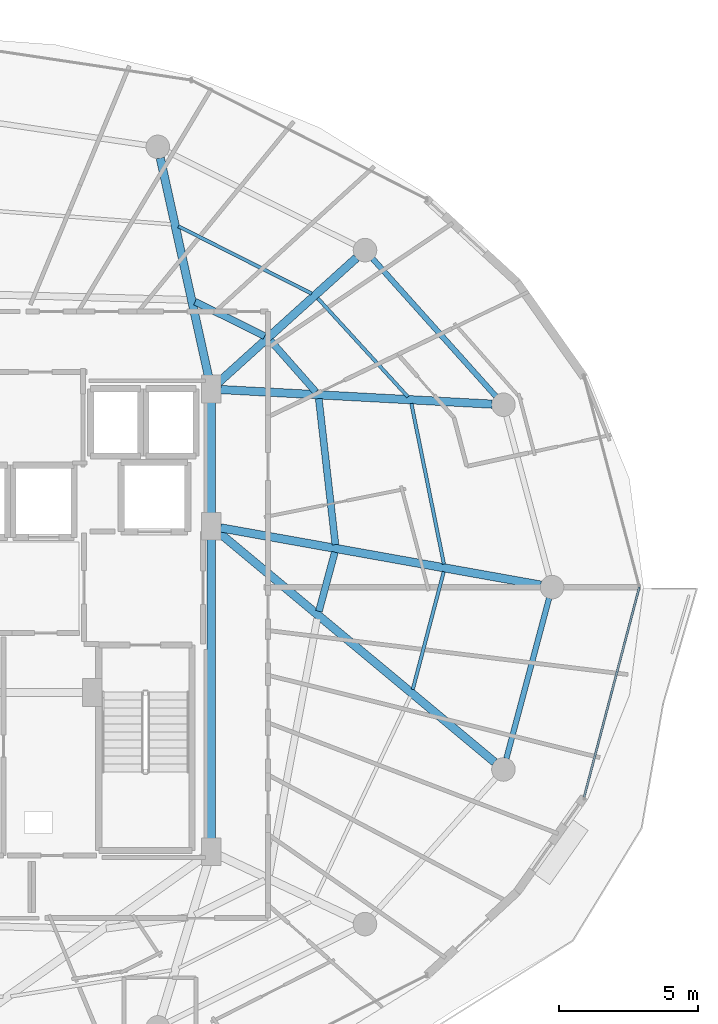
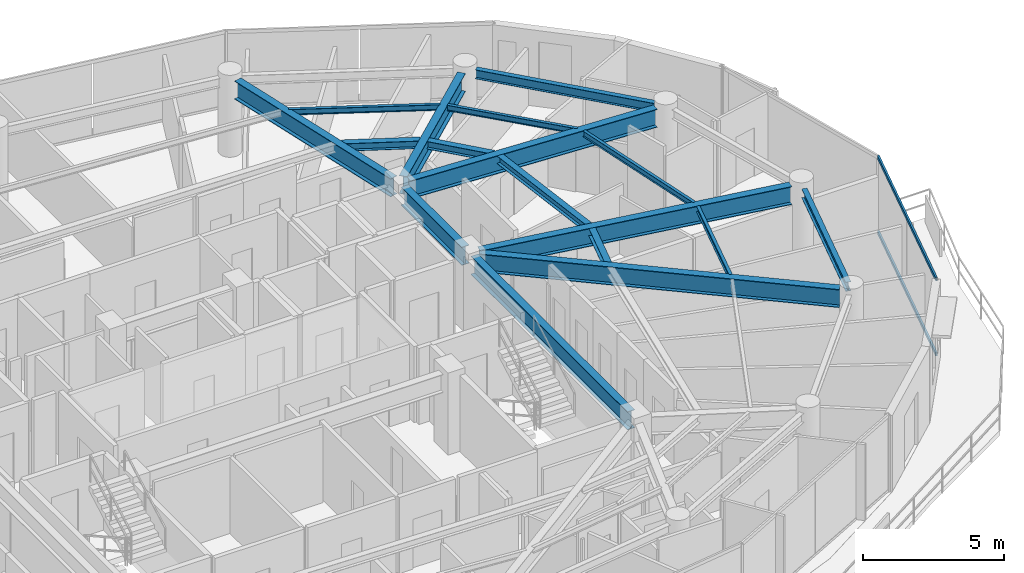
# One storey, part 13 of 29: 17 beams, 2 members, 1 element without a shape of its own.
"""IFC4 building model written with IfcOpenShell, lengths in metres."""

from ifc_helpers import new_model, si_unit, direction, frame, origin, origin_2d, place, context, subcontext, project, spatial, hollow_rectangle, i_section, extrude, material, material_profile, profile_set, type_object, element, aggregate, save


model = new_model("IFC4")

# Units and contexts
model_context = context("Model", 3, precision=1e-05, world=origin(), true_north=direction((0.0, 1.0)))
body_context = subcontext(model_context, "Body", "Model", "MODEL_VIEW")
ifc_project = project(units=[si_unit("LENGTHUNIT", "METRE"), si_unit("AREAUNIT", "SQUARE_METRE"), si_unit("VOLUMEUNIT", "CUBIC_METRE"), si_unit("PLANEANGLEUNIT", "RADIAN"), si_unit("MASSUNIT", "GRAM", prefix="KILO")], contexts=[model_context])

# Site, building, storey
site_placement = place(None, origin())
site = spatial("IfcSite", under=ifc_project, at=site_placement, CompositionType="ELEMENT")
building_placement = place(site_placement, origin())
building = spatial("IfcBuilding", under=site, at=building_placement, Name="Vorneva Point Tower", CompositionType="ELEMENT")
storey_placement = place(building_placement, frame((0.0, 0.0, 259.10009765625)))
storey = spatial("IfcBuildingStorey", under=building, at=storey_placement, Name="L70", CompositionType="ELEMENT", Elevation=259.10009765625)

# Beams
ifc_material_1 = material(Name="Steel S355", Category="steel")
ifc_material_profile_1 = material_profile(ifc_material_1, i_section(OverallWidth=0.300048828125, OverallDepth=0.7880859375, WebThickness=0.014404296875, FlangeThickness=0.02197265625, at=origin_2d()), Name="80Sh1")
ifc_profile_set_1 = profile_set([ifc_material_profile_1], Name="Steel S355")
beam_type_1 = type_object("IfcBeamType", Name="BM-GRD-80Sh1", PredefinedType="USERDEFINED", material=ifc_profile_set_1)
beam_1_placement = place(storey_placement, frame((60.6435546875, 26.07275390625, 2.89599609375), z_axis=(-0.9843788355, 0.17606336422, 0.0), x_axis=(-0.17606336422, -0.9843788355, 0.0)))
element("IfcBeam", 1, at=beam_1_placement, inside=storey, type_object=beam_type_1, Name="L70 Radial Primary Girder 01", ObjectType="GIRDER", PredefinedType="USERDEFINED", context=body_context, shape_type="SweptSolid", body=[
    extrude(i_section(OverallWidth=0.300048828125, OverallDepth=0.7880859375, WebThickness=0.014404296875, FlangeThickness=0.02197265625, at=origin_2d()), origin(), (0.0, 0.0, 1.0), 11.7421875),
])
beam_2_placement = place(storey_placement, frame((58.883056640625, 32.6044921875, 2.89599609375), z_axis=(-0.998554756376, 0.05374382308, 0.0), x_axis=(-0.05374382308, -0.998554756376, 0.0)))
element("IfcBeam", 2, at=beam_2_placement, inside=storey, type_object=beam_type_1, Name="L70 Radial Primary Girder 02", ObjectType="GIRDER", PredefinedType="USERDEFINED", context=body_context, shape_type="SweptSolid", body=[
    extrude(i_section(OverallWidth=0.300048828125, OverallDepth=0.7880859375, WebThickness=0.014404296875, FlangeThickness=0.02197265625, at=origin_2d()), origin(), (0.0, 0.0, 1.0), 9.8076171875),
])
beam_3_placement = place(storey_placement, frame((53.9921875, 37.885498046875, 2.89599609375), z_axis=(-0.7420671051, -0.670325601128, 0.0), x_axis=(0.670325601128, -0.7420671051, 0.0)))
element("IfcBeam", 3, at=beam_3_placement, inside=storey, type_object=beam_type_1, Name="L70 Radial Primary Girder 03", ObjectType="GIRDER", PredefinedType="USERDEFINED", context=body_context, shape_type="SweptSolid", body=[
    extrude(i_section(OverallWidth=0.300048828125, OverallDepth=0.7880859375, WebThickness=0.014404296875, FlangeThickness=0.02197265625, at=origin_2d()), origin(), (0.0, 0.0, 1.0), 6.724365234375),
])
beam_4_placement = place(storey_placement, frame((46.909912109375, 41.4873046875, 2.89599609375), z_axis=(0.215520742957, -0.976499262342, 0.0), x_axis=(0.976499262342, 0.215520742957, 0.0)))
element("IfcBeam", 4, at=beam_4_placement, inside=storey, type_object=beam_type_1, Name="L70 Radial Primary Girder 04", ObjectType="GIRDER", PredefinedType="USERDEFINED", context=body_context, shape_type="SweptSolid", body=[
    extrude(i_section(OverallWidth=0.300048828125, OverallDepth=0.7880859375, WebThickness=0.014404296875, FlangeThickness=0.02197265625, at=origin_2d()), origin(), (0.0, 0.0, 1.0), 8.197998046875),
])
beam_5_placement = place(storey_placement, frame((58.97802734375, 19.68212890625, 2.89599609375), z_axis=(-0.768424898021, 0.639939978515, 0.0), x_axis=(-0.639939978515, -0.768424898021, 0.0)))
element("IfcBeam", 5, at=beam_5_placement, inside=storey, type_object=beam_type_1, Name="L70 Radial Primary Girder 16", ObjectType="GIRDER", PredefinedType="USERDEFINED", context=body_context, shape_type="SweptSolid", body=[
    extrude(i_section(OverallWidth=0.300048828125, OverallDepth=0.7880859375, WebThickness=0.014404296875, FlangeThickness=0.02197265625, at=origin_2d()), origin(), (0.0, 0.0, 1.0), 12.970458984375),
])
beam_6_placement = place(storey_placement, frame((48.75, 16.77001953125, 2.89599609375), z_axis=(0.0, 1.0, 0.0), x_axis=(-1.0, 0.0, 0.0)))
element("IfcBeam", 6, at=beam_6_placement, inside=storey, type_object=beam_type_1, Name="L70 Core Tie Girder CT3", ObjectType="GIRDER", PredefinedType="USERDEFINED", context=body_context, shape_type="SweptSolid", body=[
    extrude(i_section(OverallWidth=0.300048828125, OverallDepth=0.7880859375, WebThickness=0.014404296875, FlangeThickness=0.02197265625, at=origin_2d()), origin(), (0.0, 0.0, 1.0), 11.10986328125),
])
beam_7_placement = place(storey_placement, frame((48.75, 28.52001953125, 2.89599609375), z_axis=(0.0, 1.0, 0.0), x_axis=(-1.0, 0.0, 0.0)))
element("IfcBeam", 7, at=beam_7_placement, inside=storey, type_object=beam_type_1, Name="L70 Core Tie Girder CT4", ObjectType="GIRDER", PredefinedType="USERDEFINED", context=body_context, shape_type="SweptSolid", body=[
    extrude(i_section(OverallWidth=0.300048828125, OverallDepth=0.7880859375, WebThickness=0.014404296875, FlangeThickness=0.02197265625, at=origin_2d()), origin(), (0.0, 0.0, 1.0), 4.31005859375),
])
ifc_material_profile_2 = material_profile(ifc_material_1, i_section(OverallWidth=0.1240234375, OverallDepth=0.248046875, WebThickness=0.0048828125, FlangeThickness=0.008056640625, at=origin_2d()), Name="25B1")
ifc_profile_set_2 = profile_set([ifc_material_profile_2], Name="Steel S355")
beam_type_2 = type_object("IfcBeamType", Name="BM-JST-25B1", PredefinedType="JOIST", material=ifc_profile_set_2)
beam_8_placement = place(storey_placement, frame((57.1484375, 26.828125, 3.166015625), z_axis=(-0.198749723776, 0.980050277944, 0.0), x_axis=(-0.980050277944, -0.198749723776, 0.0)))
element("IfcBeam", 8, at=beam_8_placement, inside=storey, type_object=beam_type_2, Name="L70 Secondary Floor Beam 1.01", PredefinedType="JOIST", context=body_context, shape_type="SweptSolid", body=[
    extrude(i_section(OverallWidth=0.1240234375, OverallDepth=0.248046875, WebThickness=0.0048828125, FlangeThickness=0.008056640625, at=origin_2d()), origin(), (0.0, 0.0, 1.0), 5.917236328125),
])
beam_9_placement = place(storey_placement, frame((55.851806640625, 32.864501953125, 3.166015625), z_axis=(-0.675024574834, 0.737795244881, 0.0), x_axis=(-0.737795244881, -0.675024574834, 0.0)))
element("IfcBeam", 9, at=beam_9_placement, inside=storey, type_object=beam_type_2, Name="L70 Secondary Floor Beam 1.02", PredefinedType="JOIST", context=body_context, shape_type="SweptSolid", body=[
    extrude(i_section(OverallWidth=0.1240234375, OverallDepth=0.248046875, WebThickness=0.0048828125, FlangeThickness=0.008056640625, at=origin_2d()), origin(), (0.0, 0.0, 1.0), 4.83447265625),
])
beam_10_placement = place(storey_placement, frame((52.3720703125, 36.595458984375, 3.166015625), z_axis=(-0.892661963026, 0.450726768416, 0.0), x_axis=(-0.450726768416, -0.892661963026, 0.0)))
element("IfcBeam", 10, at=beam_10_placement, inside=storey, type_object=beam_type_2, Name="L70 Secondary Floor Beam 1.03", PredefinedType="JOIST", context=body_context, shape_type="SweptSolid", body=[
    extrude(i_section(OverallWidth=0.1240234375, OverallDepth=0.248046875, WebThickness=0.0048828125, FlangeThickness=0.008056640625, at=origin_2d()), origin(), (0.0, 0.0, 1.0), 5.387451171875),
])
beam_11_placement = place(storey_placement, frame((56.023193359375, 22.3056640625, 3.166015625), z_axis=(0.25411622729, 0.967173688139, 0.0), x_axis=(-0.967173688139, 0.25411622729, 0.0)))
element("IfcBeam", 11, at=beam_11_placement, inside=storey, type_object=beam_type_2, Name="L70 Secondary Floor Beam 1.16", PredefinedType="JOIST", context=body_context, shape_type="SweptSolid", body=[
    extrude(i_section(OverallWidth=0.1240234375, OverallDepth=0.248046875, WebThickness=0.0048828125, FlangeThickness=0.008056640625, at=origin_2d()), origin(), (0.0, 0.0, 1.0), 4.398193359375),
])
ifc_material_profile_3 = material_profile(ifc_material_1, i_section(OverallWidth=0.2490234375, OverallDepth=0.333984375, WebThickness=0.008056640625, FlangeThickness=0.010986328125, at=origin_2d()), Name="35Sh1")
ifc_profile_set_3 = profile_set([ifc_material_profile_3], Name="Steel S355")
beam_type_3 = type_object("IfcBeamType", Name="BM-SEC-35Sh1", PredefinedType="BEAM", material=ifc_profile_set_3)
beam_12_placement = place(storey_placement, frame((53.230224609375, 27.532958984375, 3.122802734375), z_axis=(-0.11296647315, 0.993598800293, 0.0), x_axis=(-0.993598800293, -0.11296647315, 0.0)))
element("IfcBeam", 12, at=beam_12_placement, inside=storey, type_object=beam_type_3, Name="L70 Secondary Floor Beam 2.01", PredefinedType="BEAM", context=body_context, shape_type="SweptSolid", body=[
    extrude(i_section(OverallWidth=0.2490234375, OverallDepth=0.333984375, WebThickness=0.008056640625, FlangeThickness=0.010986328125, at=origin_2d()), origin(), (0.0, 0.0, 1.0), 5.3056640625),
])
beam_13_placement = place(storey_placement, frame((52.52392578125, 33.04541015625, 3.122802734375), z_axis=(-0.661641254141, 0.749820545743, 0.0), x_axis=(-0.749820545743, -0.661641254141, 0.0)))
element("IfcBeam", 13, at=beam_13_placement, inside=storey, type_object=beam_type_3, Name="L70 Secondary Floor Beam 2.02", PredefinedType="BEAM", context=body_context, shape_type="SweptSolid", body=[
    extrude(i_section(OverallWidth=0.2490234375, OverallDepth=0.333984375, WebThickness=0.008056640625, FlangeThickness=0.010986328125, at=origin_2d()), origin(), (0.0, 0.0, 1.0), 2.4697265625),
])
beam_14_placement = place(storey_placement, frame((50.675048828125, 35.061767578125, 3.122802734375), z_axis=(-0.896474982162, 0.443094353786, 0.0), x_axis=(-0.443094353786, -0.896474982162, 0.0)))
element("IfcBeam", 14, at=beam_14_placement, inside=storey, type_object=beam_type_3, Name="L70 Secondary Floor Beam 2.03", PredefinedType="BEAM", context=body_context, shape_type="SweptSolid", body=[
    extrude(i_section(OverallWidth=0.2490234375, OverallDepth=0.333984375, WebThickness=0.008056640625, FlangeThickness=0.010986328125, at=origin_2d()), origin(), (0.0, 0.0, 1.0), 2.80078125),
])
beam_15_placement = place(storey_placement, frame((52.63525390625, 25.12744140625, 3.122802734375), z_axis=(0.259902201987, 0.96563494417, 0.0), x_axis=(-0.96563494417, 0.259902201987, 0.0)))
element("IfcBeam", 15, at=beam_15_placement, inside=storey, type_object=beam_type_3, Name="L70 Secondary Floor Beam 2.16", PredefinedType="BEAM", context=body_context, shape_type="SweptSolid", body=[
    extrude(i_section(OverallWidth=0.2490234375, OverallDepth=0.333984375, WebThickness=0.008056640625, FlangeThickness=0.010986328125, at=origin_2d()), origin(), (0.0, 0.0, 1.0), 2.211181640625),
])
ifc_material_profile_4 = material_profile(ifc_material_1, i_section(OverallWidth=0.198974609375, OverallDepth=0.39599609375, WebThickness=0.007080078125, FlangeThickness=0.010986328125, at=origin_2d()), Name="40B1")
ifc_profile_set_4 = profile_set([ifc_material_profile_4], Name="Steel S355")
beam_type_4 = type_object("IfcBeamType", Name="BM-SPN-40B1", PredefinedType="SPANDREL", material=ifc_profile_set_4)
beam_16_placement = place(storey_placement, frame((59.02197265625, 32.8876953125, 3.091796875), z_axis=(-0.667108282638, 0.744960763554, 0.0), x_axis=(-0.744960763554, -0.667108282638, 0.0)))
element("IfcBeam", 16, at=beam_16_placement, inside=storey, type_object=beam_type_4, Name="L70 Perimeter Spandrel Ring Beam 02", PredefinedType="SPANDREL", context=body_context, shape_type="SweptSolid", body=[
    extrude(i_section(OverallWidth=0.198974609375, OverallDepth=0.39599609375, WebThickness=0.007080078125, FlangeThickness=0.010986328125, at=origin_2d()), origin(), (0.0, 0.0, 1.0), 6.670166015625),
])
beam_17_placement = place(storey_placement, frame((59.40087890625, 19.81396484375, 3.091796875), z_axis=(0.257586570866, 0.966255224312, 0.0), x_axis=(-0.966255224312, 0.257586570866, 0.0)))
element("IfcBeam", 17, at=beam_17_placement, inside=storey, type_object=beam_type_4, Name="L70 Perimeter Spandrel Ring Beam 16", PredefinedType="SPANDREL", context=body_context, shape_type="SweptSolid", body=[
    extrude(i_section(OverallWidth=0.198974609375, OverallDepth=0.39599609375, WebThickness=0.007080078125, FlangeThickness=0.010986328125, at=origin_2d()), origin(), (0.0, 0.0, 1.0), 5.991943359375),
])

# Curtain wall, members
ifc_material_2 = material(Name="Pale anodised aluminium", Category="aluminium")
curtain_wall_type = type_object("IfcCurtainWallType", Name="CW-RES-SYS", PredefinedType="NOTDEFINED", material=ifc_material_2)
curtain_wall_placement = place(storey_placement, origin())
curtain_wall = element("IfcCurtainWall", 18, at=curtain_wall_placement, inside=storey, type_object=curtain_wall_type, Name="L70 Unitised Curtain Wall CW-L70-R01", PredefinedType="NOTDEFINED")
ifc_material_profile_5 = material_profile(ifc_material_2, hollow_rectangle(XDim=0.074951171875, YDim=0.14990234375, WallThickness=0.00390625, at=origin_2d()), Name="AL-TRN 150x75x4")
ifc_profile_set_5 = profile_set([ifc_material_profile_5], Name="Pale anodised aluminium")
member_type = type_object("IfcMemberType", Name="CW-TRN-150", PredefinedType="USERDEFINED", material=ifc_profile_set_5)
member_1_placement = place(storey_placement, frame((62.20556640625, 18.4189453125, 0.02001953125), z_axis=(0.254418180926, 0.967094302131, 0.0), x_axis=(-0.967094302131, 0.254418180926, 0.0)))
member_1 = element("IfcMember", 19, at=member_1_placement, type_object=member_type, Name="CW-L70-R01 Transom 01.1", ObjectType="TRANSOM", PredefinedType="USERDEFINED", context=body_context, shape_type="SweptSolid", body=[
    extrude(hollow_rectangle(XDim=0.074951171875, YDim=0.14990234375, WallThickness=0.00390625, at=origin_2d()), origin(), (0.0, 0.0, 1.0), 7.839111328125),
])
member_2_placement = place(storey_placement, frame((62.20556640625, 18.4189453125, 3.27001953125), z_axis=(0.254418180926, 0.967094302131, 0.0), x_axis=(-0.967094302131, 0.254418180926, 0.0)))
member_2 = element("IfcMember", 20, at=member_2_placement, type_object=member_type, Name="CW-L70-R01 Transom 01.2", ObjectType="TRANSOM", PredefinedType="USERDEFINED", context=body_context, shape_type="SweptSolid", body=[
    extrude(hollow_rectangle(XDim=0.074951171875, YDim=0.14990234375, WallThickness=0.00390625, at=origin_2d()), origin(), (0.0, 0.0, 1.0), 7.839111328125),
])
aggregate(curtain_wall, [member_1, member_2])

save(model, "model.ifc")
